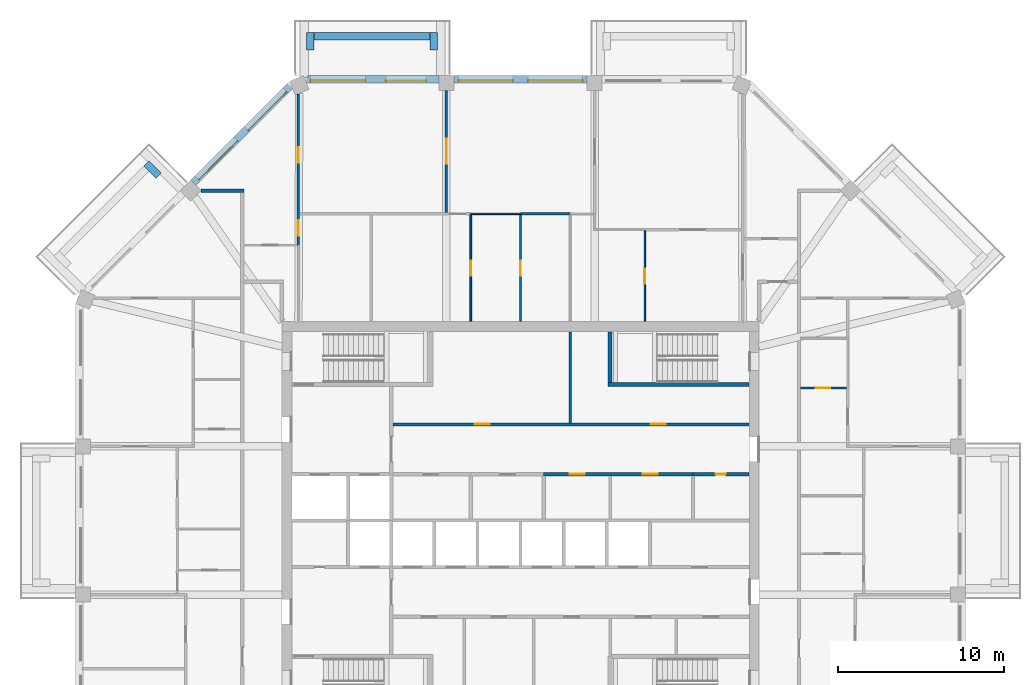
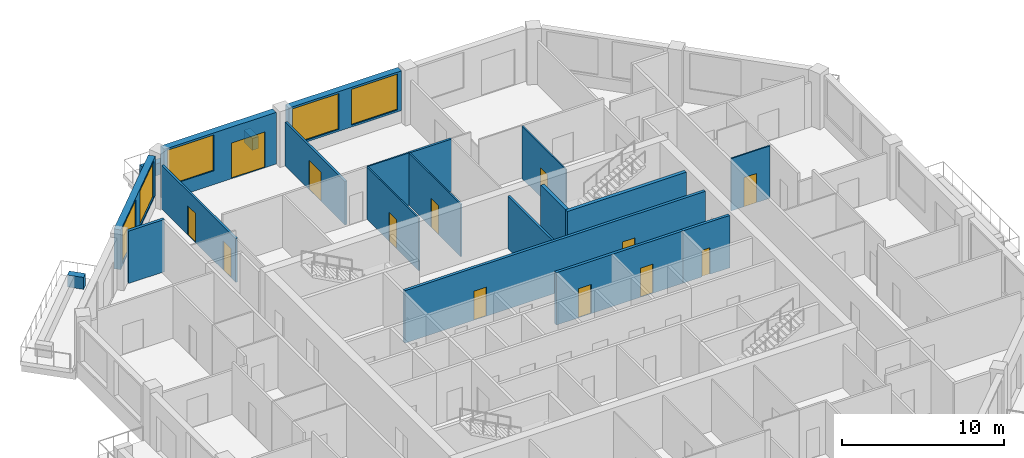
# One storey, part 8 of 12: 22 walls, 13 doors, 5 windows, 18 openings.
"""IFC4 building model written with IfcOpenShell, lengths in metres."""

from ifc_helpers import new_model, si_unit, direction, frame, frame_2d, origin, place, context, subcontext, project, spatial, rectangle, extrude, material, layer, layer_set, type_object, element, fill, save


model = new_model("IFC4")

# Units and contexts
model_context = context("Model", 3, precision=1e-05, world=origin(), true_north=direction((0.0, 1.0)))
body_context = subcontext(model_context, "Body", "Model", "MODEL_VIEW")
ifc_project = project(units=[si_unit("LENGTHUNIT", "METRE"), si_unit("AREAUNIT", "SQUARE_METRE"), si_unit("VOLUMEUNIT", "CUBIC_METRE"), si_unit("PLANEANGLEUNIT", "RADIAN"), si_unit("MASSUNIT", "GRAM", prefix="KILO")], contexts=[model_context])

# Site, building, storey
site_placement = place(None, origin())
site = spatial("IfcSite", under=ifc_project, at=site_placement, CompositionType="ELEMENT")
building_placement = place(site_placement, origin())
building = spatial("IfcBuilding", under=site, at=building_placement, Name="Msitu Wima Residences", CompositionType="ELEMENT")
storey_placement = place(building_placement, frame((0.0, 0.0, 218.10009765625)))
storey = spatial("IfcBuildingStorey", under=building, at=storey_placement, Name="L50", CompositionType="ELEMENT", Elevation=218.10009765625)

# Walls
ifc_material_1 = material(Name="Facing brick")
ifc_layer_1 = layer(ifc_material_1, 0.06494140625, Name="Facing brick")
ifc_material_2 = material(Name="Concrete C40/50", Category="concrete")
ifc_layer_2 = layer(ifc_material_2, 0.156005859375, Name="Concrete C40/50")
ifc_material_3 = material(Name="Waterproofing membrane")
ifc_layer_3 = layer(ifc_material_3, 0.00390625, Name="Waterproofing membrane")
ifc_material_4 = material(Name="Planting soil and planting")
ifc_layer_4 = layer(ifc_material_4, 0.22509765625, Name="Planting soil and planting")
ifc_layer_set_1 = layer_set([ifc_layer_1, ifc_layer_2, ifc_layer_3, ifc_layer_4], Name="Concrete C40/50")
wall_type_1 = type_object("IfcWallType", Name="Balcony planter PLANTER PL450", PredefinedType="USERDEFINED", material=ifc_layer_set_1)
wall_1_placement = place(storey_placement, frame((-5.468505859375, 29.22509765625, 0.0), z_axis=(0.0, 0.0, 1.0), x_axis=(-1.0, 0.0, 0.0)))
element("IfcWall", 1, at=wall_1_placement, inside=storey, type_object=wall_type_1, Name="Balcony planter N2 L50", ObjectType="PLANTER", PredefinedType="USERDEFINED", context=body_context, shape_type="SweptSolid", body=[
    extrude(rectangle(XDim=6.9873046875, YDim=0.449951171875, at=frame_2d((3.49365234375, 0.0))), origin(), (0.0, 0.0, 1.0), 0.89990234375),
])
for number, where, z_axis, x_axis, name in (
    (2, (-5.24365234375, 28.39990234375, 0.0), (0.0, 0.0, 1.0), (0.0, 1.0, 0.0), "Balcony planter N2 L50"),
    (3, (-12.680908203125, 28.39990234375, 0.0), (0.0, 0.0, 1.0), (0.0, 1.0, 0.0), "Balcony planter N2 L50"),
    (4, (-21.829833984375, 20.804443359375, 0.0), (0.0, 0.0, 1.0), (-0.707106781187, 0.707106781187, 0.0), "Balcony planter NW1 L50"),
):
    element("IfcWall", number, at=place(storey_placement, frame(where, z_axis=z_axis, x_axis=x_axis)), inside=storey, type_object=wall_type_1, Name=name, ObjectType="PLANTER", PredefinedType="USERDEFINED", context=body_context, shape_type="SweptSolid", body=[
        extrude(rectangle(XDim=1.050048828125, YDim=0.449951171875, at=frame_2d((0.52490234375, 0.0))), origin(), (0.0, 0.0, 1.0), 0.89990234375),
    ])

# Wall, openings, windows
ifc_material_5 = material(Name="Brick (red buff mix)", Category="masonry")
ifc_layer_5 = layer(ifc_material_5, 0.449951171875)
ifc_layer_set_2 = layer_set([ifc_layer_5], Name="Brick (red buff mix)")
wall_type_2 = type_object("IfcWallType", Name="Brick infill wall BW450", PredefinedType="SOLIDWALL", material=ifc_layer_set_2)
wall_2_placement = place(storey_placement, frame((4.0185546875, 26.625, 0.89990234375), z_axis=(0.0, 0.0, 1.0), x_axis=(-1.0, 0.0, 0.0)))
wall_2 = element("IfcWall", 5, at=wall_2_placement, inside=storey, type_object=wall_type_2, Name="Brick infill wall L50 N1", PredefinedType="SOLIDWALL", context=body_context, shape_type="SweptSolid", body=[
    extrude(rectangle(XDim=8.037109375, YDim=0.449951171875, at=frame_2d((4.0185546875, 0.0))), origin(), (0.0, 0.0, 1.0), 3.0),
])
opening_1_placement = place(wall_2_placement, frame((0.2685546875, 0.0, 0.14990234375)))
opening_1 = element("IfcOpeningElement", 6, at=opening_1_placement, cuts=wall_2, Name="Opening W50-51.007", PredefinedType="OPENING", context=body_context, shape_type="SweptSolid", body=[
    extrude(rectangle(XDim=3.300048828125, YDim=2.699951171875, at=frame_2d((1.64990234375, 1.35009765625))), frame((0.0, 0.23486328125, 0.0), z_axis=(0.0, -1.0, 0.0), x_axis=(1.0, 0.0, 0.0)), (0.0, 0.0, 1.0), 0.469970703125),
])
opening_2_placement = place(wall_2_placement, frame((4.46875, 0.0, 0.14990234375)))
opening_2 = element("IfcOpeningElement", 7, at=opening_2_placement, cuts=wall_2, Name="Opening W50-51.008", PredefinedType="OPENING", context=body_context, shape_type="SweptSolid", body=[
    extrude(rectangle(XDim=3.300048828125, YDim=2.699951171875, at=frame_2d((1.64990234375, 1.35009765625))), frame((0.0, 0.23486328125, 0.0), z_axis=(0.0, -1.0, 0.0), x_axis=(1.0, 0.0, 0.0)), (0.0, 0.0, 1.0), 0.469970703125),
])
ifc_material_6 = material(Name="Anodised aluminium, bronze finish, clear low-emissivity double glazing", Category="aluminium")
window_type = type_object("IfcWindowType", Name="Window W3300x2700", PartitioningType="DOUBLE_PANEL_VERTICAL", PredefinedType="WINDOW", material=ifc_material_6)
window_1_placement = place(opening_1_placement, origin())
window_1 = element("IfcWindow", 8, at=window_1_placement, inside=storey, type_object=window_type, Name="Window L50 N1.1", OverallHeight=2.699951171875, OverallWidth=3.300048828125, PartitioningType="SINGLE_PANEL", PredefinedType="WINDOW", context=body_context, shape_type="SweptSolid", body=[
    extrude(rectangle(XDim=3.300048828125, YDim=2.699951171875, at=frame_2d((1.64990234375, 1.35009765625))), frame((0.0, 0.135009765625, 0.0), z_axis=(0.0, -1.0, 0.0), x_axis=(1.0, 0.0, 0.0)), (0.0, 0.0, 1.0), 0.06005859375),
])
fill(opening_1, window_1)
window_2_placement = place(opening_2_placement, origin())
window_2 = element("IfcWindow", 9, at=window_2_placement, inside=storey, type_object=window_type, Name="Window L50 N1.2", OverallHeight=2.699951171875, OverallWidth=3.300048828125, PartitioningType="SINGLE_PANEL", PredefinedType="WINDOW", context=body_context, shape_type="SweptSolid", body=[
    extrude(rectangle(XDim=3.300048828125, YDim=2.699951171875, at=frame_2d((1.64990234375, 1.35009765625))), frame((0.0, 0.135009765625, 0.0), z_axis=(0.0, -1.0, 0.0), x_axis=(1.0, 0.0, 0.0)), (0.0, 0.0, 1.0), 0.06005859375),
])
fill(opening_2, window_2)

# Wall, openings, door, window
wall_3_placement = place(storey_placement, frame((-4.918701171875, 26.625, 0.0), z_axis=(0.0, 0.0, 1.0), x_axis=(-1.0, 0.0, 0.0)))
wall_3 = element("IfcWall", 10, at=wall_3_placement, inside=storey, type_object=wall_type_2, Name="Brick infill wall L50 N2", PredefinedType="SOLIDWALL", context=body_context, shape_type="SweptSolid", body=[
    extrude(rectangle(XDim=8.0, YDim=0.449951171875, at=frame_2d((4.0, 0.0))), origin(), (0.0, 0.0, 1.0), 3.89990234375),
])
opening_3_placement = place(wall_3_placement, frame((0.800048828125, 0.0, 0.0)))
opening_3 = element("IfcOpeningElement", 11, at=opening_3_placement, cuts=wall_3, Name="Opening D50-51.003", PredefinedType="OPENING", context=body_context, shape_type="SweptSolid", body=[
    extrude(rectangle(XDim=2.39990234375, YDim=2.699951171875, at=frame_2d((1.199951171875, 1.35009765625))), frame((0.0, 0.23486328125, 0.0), z_axis=(0.0, -1.0, 0.0), x_axis=(1.0, 0.0, 0.0)), (0.0, 0.0, 1.0), 0.469970703125),
])
opening_4_placement = place(wall_3_placement, frame((4.4501953125, 0.0, 1.050048828125)))
opening_4 = element("IfcOpeningElement", 12, at=opening_4_placement, cuts=wall_3, Name="Opening W50-51.009", PredefinedType="OPENING", context=body_context, shape_type="SweptSolid", body=[
    extrude(rectangle(XDim=3.300048828125, YDim=2.699951171875, at=frame_2d((1.64990234375, 1.35009765625))), frame((0.0, 0.23486328125, 0.0), z_axis=(0.0, -1.0, 0.0), x_axis=(1.0, 0.0, 0.0)), (0.0, 0.0, 1.0), 0.469970703125),
])
door_type_1 = type_object("IfcDoorType", Name="Balcony door D2400x2700", OperationType="SLIDING_TO_LEFT", PredefinedType="DOOR", material=ifc_material_6)
door_1_placement = place(opening_3_placement, origin())
door_1 = element("IfcDoor", 13, at=door_1_placement, inside=storey, type_object=door_type_1, Name="Balcony door L50 N2", OperationType="SINGLE_SWING_LEFT", OverallHeight=2.699951171875, OverallWidth=2.39990234375, PredefinedType="DOOR", context=body_context, shape_type="SweptSolid", body=[
    extrude(rectangle(XDim=2.39990234375, YDim=2.699951171875, at=frame_2d((1.199951171875, 1.35009765625))), frame((0.0, 0.1298828125, 0.0), z_axis=(0.0, -1.0, 0.0), x_axis=(1.0, 0.0, 0.0)), (0.0, 0.0, 1.0), 0.050048828125),
])
fill(opening_3, door_1)
window_3_placement = place(opening_4_placement, origin())
window_3 = element("IfcWindow", 14, at=window_3_placement, inside=storey, type_object=window_type, Name="Window L50 N2.2", OverallHeight=2.699951171875, OverallWidth=3.300048828125, PartitioningType="SINGLE_PANEL", PredefinedType="WINDOW", context=body_context, shape_type="SweptSolid", body=[
    extrude(rectangle(XDim=3.300048828125, YDim=2.699951171875, at=frame_2d((1.64990234375, 1.35009765625))), frame((0.0, 0.135009765625, 0.0), z_axis=(0.0, -1.0, 0.0), x_axis=(1.0, 0.0, 0.0)), (0.0, 0.0, 1.0), 0.06005859375),
])
fill(opening_4, window_3)

# Wall, openings, windows
wall_4_placement = place(storey_placement, frame((-13.909423828125, 26.214599609375, 0.89990234375), z_axis=(0.0, 0.0, 1.0), x_axis=(-0.707106781187, -0.707106781187, 0.0)))
wall_4 = element("IfcWall", 15, at=wall_4_placement, inside=storey, type_object=wall_type_2, Name="Brick infill wall L50 NW0", PredefinedType="SOLIDWALL", context=body_context, shape_type="SweptSolid", body=[
    extrude(rectangle(XDim=8.251220703125, YDim=0.449951171875, at=frame_2d((4.12548828125, 0.0))), origin(), (0.0, 0.0, 1.0), 3.0),
])
opening_5_placement = place(wall_4_placement, frame((0.37548828125, 0.0, 0.14990234375)))
opening_5 = element("IfcOpeningElement", 16, at=opening_5_placement, cuts=wall_4, Name="Opening W50-51.013", PredefinedType="OPENING", context=body_context, shape_type="SweptSolid", body=[
    extrude(rectangle(XDim=3.300048828125, YDim=2.699951171875, at=frame_2d((1.64990234375, 1.35009765625))), frame((0.0, 0.23486328125, 0.0), z_axis=(0.0, -1.0, 0.0), x_axis=(1.0, 0.0, 0.0)), (0.0, 0.0, 1.0), 0.469970703125),
])
opening_6_placement = place(wall_4_placement, frame((4.57568359375, 0.0, 0.14990234375)))
opening_6 = element("IfcOpeningElement", 17, at=opening_6_placement, cuts=wall_4, Name="Opening W50-51.014", PredefinedType="OPENING", context=body_context, shape_type="SweptSolid", body=[
    extrude(rectangle(XDim=3.300048828125, YDim=2.699951171875, at=frame_2d((1.64990234375, 1.35009765625))), frame((0.0, 0.23486328125, 0.0), z_axis=(0.0, -1.0, 0.0), x_axis=(1.0, 0.0, 0.0)), (0.0, 0.0, 1.0), 0.469970703125),
])
window_4_placement = place(opening_5_placement, origin())
window_4 = element("IfcWindow", 18, at=window_4_placement, inside=storey, type_object=window_type, Name="Window L50 NW0.1", OverallHeight=2.699951171875, OverallWidth=3.300048828125, PartitioningType="SINGLE_PANEL", PredefinedType="WINDOW", context=body_context, shape_type="SweptSolid", body=[
    extrude(rectangle(XDim=3.300048828125, YDim=2.699951171875, at=frame_2d((1.64990234375, 1.35009765625))), frame((0.0, 0.135009765625, 0.0), z_axis=(0.0, -1.0, 0.0), x_axis=(1.0, 0.0, 0.0)), (0.0, 0.0, 1.0), 0.06005859375),
])
fill(opening_5, window_4)
window_5_placement = place(opening_6_placement, origin())
window_5 = element("IfcWindow", 19, at=window_5_placement, inside=storey, type_object=window_type, Name="Window L50 NW0.2", OverallHeight=2.699951171875, OverallWidth=3.300048828125, PartitioningType="SINGLE_PANEL", PredefinedType="WINDOW", context=body_context, shape_type="SweptSolid", body=[
    extrude(rectangle(XDim=3.300048828125, YDim=2.699951171875, at=frame_2d((1.64990234375, 1.35009765625))), frame((0.0, 0.135009765625, 0.0), z_axis=(0.0, -1.0, 0.0), x_axis=(1.0, 0.0, 0.0)), (0.0, 0.0, 1.0), 0.06005859375),
])
fill(opening_6, window_5)

# Wall, openings, doors
ifc_material_7 = material(Name="Plaster")
ifc_layer_6 = layer(ifc_material_7, 0.011962890625, Name="Plaster")
ifc_material_8 = material(Name="Concrete blockwork", Category="masonry")
ifc_layer_7 = layer(ifc_material_8, 0.176025390625, Name="Concrete blockwork")
ifc_layer_8 = layer(ifc_material_7, 0.011962890625, Name="Plaster")
ifc_layer_set_3 = layer_set([ifc_layer_6, ifc_layer_7, ifc_layer_8], Name="Concrete blockwork")
wall_type_3 = type_object("IfcWallType", Name="Corridor wall FW200", PredefinedType="PARTITIONING", material=ifc_layer_set_3)
wall_5_placement = place(storey_placement, frame((-7.699951171875, 5.800048828125, 0.0), z_axis=(0.0, 0.0, 1.0), x_axis=(1.0, 0.0, 0.0)))
wall_5 = element("IfcWall", 20, at=wall_5_placement, inside=storey, type_object=wall_type_3, Name="Corridor wall", PredefinedType="PARTITIONING", context=body_context, shape_type="SweptSolid", body=[
    extrude(rectangle(XDim=21.469970703125, YDim=0.199951171875, at=frame_2d((10.73486328125, 0.0))), origin(), (0.0, 0.0, 1.0), 3.949951171875),
])
opening_7_placement = place(wall_5_placement, frame((4.949951171875, 0.0, 0.0)))
opening_7 = element("IfcOpeningElement", 21, at=opening_7_placement, cuts=wall_5, Name="Opening D50-51.065", PredefinedType="OPENING", context=body_context, shape_type="SweptSolid", body=[
    extrude(rectangle(XDim=0.89990234375, YDim=2.199951171875, at=frame_2d((0.449951171875, 1.10009765625))), frame((0.0, 0.10986328125, 0.0), z_axis=(0.0, -1.0, 0.0), x_axis=(1.0, 0.0, 0.0)), (0.0, 0.0, 1.0), 0.219970703125),
])
opening_8_placement = place(wall_5_placement, frame((15.550048828125, 0.0, 0.0)))
opening_8 = element("IfcOpeningElement", 22, at=opening_8_placement, cuts=wall_5, Name="Opening D50-51.066", PredefinedType="OPENING", context=body_context, shape_type="SweptSolid", body=[
    extrude(rectangle(XDim=0.89990234375, YDim=2.199951171875, at=frame_2d((0.449951171875, 1.10009765625))), frame((0.0, 0.10986328125, 0.0), z_axis=(0.0, -1.0, 0.0), x_axis=(1.0, 0.0, 0.0)), (0.0, 0.0, 1.0), 0.219970703125),
])
ifc_material_9 = material(Name="Timber flush door", Category="wood")
door_type_2 = type_object("IfcDoorType", Name="Service door D05 900x2200", OperationType="SINGLE_SWING_LEFT", PredefinedType="DOOR", material=ifc_material_9)
door_2_placement = place(opening_7_placement, origin())
door_2 = element("IfcDoor", 23, at=door_2_placement, inside=storey, type_object=door_type_2, Name="Service door", OperationType="SINGLE_SWING_LEFT", OverallHeight=2.199951171875, OverallWidth=0.89990234375, PredefinedType="DOOR", context=body_context, shape_type="SweptSolid", body=[
    extrude(rectangle(XDim=0.89990234375, YDim=2.199951171875, at=frame_2d((0.449951171875, 1.10009765625))), frame((0.0, 0.02490234375, 0.0), z_axis=(0.0, -1.0, 0.0), x_axis=(1.0, 0.0, 0.0)), (0.0, 0.0, 1.0), 0.050048828125),
])
fill(opening_7, door_2)
door_3_placement = place(opening_8_placement, origin())
door_3 = element("IfcDoor", 24, at=door_3_placement, inside=storey, type_object=door_type_2, Name="Service door", OperationType="SINGLE_SWING_RIGHT", OverallHeight=2.199951171875, OverallWidth=0.89990234375, PredefinedType="DOOR", context=body_context, shape_type="SweptSolid", body=[
    extrude(rectangle(XDim=0.89990234375, YDim=2.199951171875, at=frame_2d((0.449951171875, 1.10009765625))), frame((0.0, 0.02490234375, 0.0), z_axis=(0.0, -1.0, 0.0), x_axis=(1.0, 0.0, 0.0)), (0.0, 0.0, 1.0), 0.050048828125),
])
fill(opening_8, door_3)

wall_6_placement = place(storey_placement, frame((1.3798828125, 2.800048828125, 0.0), z_axis=(0.0, 0.0, 1.0), x_axis=(1.0, 0.0, 0.0)))
wall_6 = element("IfcWall", 25, at=wall_6_placement, inside=storey, type_object=wall_type_3, Name="Corridor wall", PredefinedType="PARTITIONING", context=body_context, shape_type="SweptSolid", body=[
    extrude(rectangle(XDim=9.0400390625, YDim=0.199951171875, at=frame_2d((4.52001953125, 0.0))), origin(), (0.0, 0.0, 1.0), 3.949951171875),
])
opening_9_placement = place(wall_6_placement, frame((1.60009765625, 0.0, 0.0)))
opening_9 = element("IfcOpeningElement", 26, at=opening_9_placement, cuts=wall_6, Name="Opening D50-51.076", PredefinedType="OPENING", context=body_context, shape_type="SweptSolid", body=[
    extrude(rectangle(XDim=0.89990234375, YDim=2.199951171875, at=frame_2d((0.449951171875, 1.10009765625))), frame((0.0, 0.10986328125, 0.0), z_axis=(0.0, -1.0, 0.0), x_axis=(1.0, 0.0, 0.0)), (0.0, 0.0, 1.0), 0.219970703125),
])
opening_10_placement = place(wall_6_placement, frame((6.0, 0.0, 0.0)))
opening_10 = element("IfcOpeningElement", 27, at=opening_10_placement, cuts=wall_6, Name="Opening D50-51.077", PredefinedType="OPENING", context=body_context, shape_type="SweptSolid", body=[
    extrude(rectangle(XDim=0.89990234375, YDim=2.199951171875, at=frame_2d((0.449951171875, 1.10009765625))), frame((0.0, 0.10986328125, 0.0), z_axis=(0.0, -1.0, 0.0), x_axis=(1.0, 0.0, 0.0)), (0.0, 0.0, 1.0), 0.219970703125),
])
door_4_placement = place(opening_9_placement, origin())
door_4 = element("IfcDoor", 28, at=door_4_placement, inside=storey, type_object=door_type_2, Name="Service door", OperationType="SINGLE_SWING_LEFT", OverallHeight=2.199951171875, OverallWidth=0.89990234375, PredefinedType="DOOR", context=body_context, shape_type="SweptSolid", body=[
    extrude(rectangle(XDim=0.89990234375, YDim=2.199951171875, at=frame_2d((0.449951171875, 1.10009765625))), frame((0.0, 0.02490234375, 0.0), z_axis=(0.0, -1.0, 0.0), x_axis=(1.0, 0.0, 0.0)), (0.0, 0.0, 1.0), 0.050048828125),
])
fill(opening_9, door_4)
door_5_placement = place(opening_10_placement, origin())
door_5 = element("IfcDoor", 29, at=door_5_placement, inside=storey, type_object=door_type_2, Name="Service door", OperationType="SINGLE_SWING_RIGHT", OverallHeight=2.199951171875, OverallWidth=0.89990234375, PredefinedType="DOOR", context=body_context, shape_type="SweptSolid", body=[
    extrude(rectangle(XDim=0.89990234375, YDim=2.199951171875, at=frame_2d((0.449951171875, 1.10009765625))), frame((0.0, 0.02490234375, 0.0), z_axis=(0.0, -1.0, 0.0), x_axis=(1.0, 0.0, 0.0)), (0.0, 0.0, 1.0), 0.050048828125),
])
fill(opening_10, door_5)

ifc_layer_9 = layer(ifc_material_7, 0.011962890625, Name="Plaster")
ifc_layer_10 = layer(ifc_material_8, 0.1259765625, Name="Concrete blockwork")
ifc_layer_11 = layer(ifc_material_7, 0.011962890625, Name="Plaster")
ifc_layer_set_4 = layer_set([ifc_layer_9, ifc_layer_10, ifc_layer_11], Name="Concrete blockwork")
wall_type_4 = type_object("IfcWallType", Name="Partition PW150", PredefinedType="PARTITIONING", material=ifc_layer_set_4)
wall_7_placement = place(storey_placement, frame((-13.406005859375, 25.731201171875, 0.0), z_axis=(0.0, 0.0, 1.0), x_axis=(0.0, -1.0, 0.0)))
wall_7 = element("IfcWall", 30, at=wall_7_placement, inside=storey, type_object=wall_type_4, Name="Partition", PredefinedType="PARTITIONING", context=body_context, shape_type="SweptSolid", body=[
    extrude(rectangle(XDim=9.131103515625, YDim=0.14990234375, at=frame_2d((4.5654296875, 0.0))), origin(), (0.0, 0.0, 1.0), 3.2998046875),
])
opening_11_placement = place(wall_7_placement, frame((3.199951171875, 0.0, 0.0)))
opening_11 = element("IfcOpeningElement", 31, at=opening_11_placement, cuts=wall_7, Name="Opening D50-51.024", PredefinedType="OPENING", context=body_context, shape_type="SweptSolid", body=[
    extrude(rectangle(XDim=0.949951171875, YDim=2.199951171875, at=frame_2d((0.47509765625, 1.10009765625))), frame((0.0, 0.0849609375, 0.0), z_axis=(0.0, -1.0, 0.0), x_axis=(1.0, 0.0, 0.0)), (0.0, 0.0, 1.0), 0.169921875),
])
opening_12_placement = place(wall_7_placement, frame((7.60009765625, 0.0, 0.0)))
opening_12 = element("IfcOpeningElement", 32, at=opening_12_placement, cuts=wall_7, Name="Opening D50-51.025", PredefinedType="OPENING", context=body_context, shape_type="SweptSolid", body=[
    extrude(rectangle(XDim=0.949951171875, YDim=2.199951171875, at=frame_2d((0.47509765625, 1.10009765625))), frame((0.0, 0.0849609375, 0.0), z_axis=(0.0, -1.0, 0.0), x_axis=(1.0, 0.0, 0.0)), (0.0, 0.0, 1.0), 0.169921875),
])
door_type_3 = type_object("IfcDoorType", Name="Room door D12 950x2200", OperationType="SINGLE_SWING_LEFT", PredefinedType="DOOR", material=ifc_material_9)
door_6_placement = place(opening_11_placement, origin())
door_6 = element("IfcDoor", 33, at=door_6_placement, inside=storey, type_object=door_type_3, Name="Room door", OperationType="SINGLE_SWING_LEFT", OverallHeight=2.199951171875, OverallWidth=0.949951171875, PredefinedType="DOOR", context=body_context, shape_type="SweptSolid", body=[
    extrude(rectangle(XDim=0.949951171875, YDim=2.199951171875, at=frame_2d((0.47509765625, 1.10009765625))), frame((0.0, 0.02490234375, 0.0), z_axis=(0.0, -1.0, 0.0), x_axis=(1.0, 0.0, 0.0)), (0.0, 0.0, 1.0), 0.050048828125),
])
fill(opening_11, door_6)
door_7_placement = place(opening_12_placement, origin())
door_7 = element("IfcDoor", 34, at=door_7_placement, inside=storey, type_object=door_type_3, Name="Room door", OperationType="SINGLE_SWING_LEFT", OverallHeight=2.199951171875, OverallWidth=0.949951171875, PredefinedType="DOOR", context=body_context, shape_type="SweptSolid", body=[
    extrude(rectangle(XDim=0.949951171875, YDim=2.199951171875, at=frame_2d((0.47509765625, 1.10009765625))), frame((0.0, 0.02490234375, 0.0), z_axis=(0.0, -1.0, 0.0), x_axis=(1.0, 0.0, 0.0)), (0.0, 0.0, 1.0), 0.050048828125),
])
fill(opening_12, door_7)

# Wall, opening, door
wall_8_placement = place(storey_placement, frame((-4.46875, 18.574951171875, 0.0), z_axis=(0.0, 0.0, 1.0), x_axis=(0.0, 1.0, 0.0)))
wall_8 = element("IfcWall", 35, at=wall_8_placement, inside=storey, type_object=wall_type_4, Name="Partition", PredefinedType="PARTITIONING", context=body_context, shape_type="SweptSolid", body=[
    extrude(rectangle(XDim=7.375, YDim=0.14990234375, at=frame_2d((3.6875, 0.0))), origin(), (0.0, 0.0, 1.0), 3.2998046875),
])
opening_13_placement = place(wall_8_placement, frame((2.949951171875, 0.0, 0.0)))
opening_13 = element("IfcOpeningElement", 36, at=opening_13_placement, cuts=wall_8, Name="Opening D50-51.034", PredefinedType="OPENING", context=body_context, shape_type="SweptSolid", body=[
    extrude(rectangle(XDim=1.5, YDim=2.199951171875, at=frame_2d((0.75, 1.10009765625))), frame((0.0, 0.0849609375, 0.0), z_axis=(0.0, -1.0, 0.0), x_axis=(1.0, 0.0, 0.0)), (0.0, 0.0, 1.0), 0.169921875),
])
ifc_material_10 = material(Name="Timber double door", Category="wood")
door_type_4 = type_object("IfcDoorType", Name="Double door D04 1500x2200", OperationType="DOUBLE_DOOR_SINGLE_SWING", PredefinedType="DOOR", material=ifc_material_10)
door_8_placement = place(opening_13_placement, origin())
door_8 = element("IfcDoor", 37, at=door_8_placement, inside=storey, type_object=door_type_4, Name="Double door", OperationType="DOUBLE_DOOR_SINGLE_SWING", OverallHeight=2.199951171875, OverallWidth=1.5, PredefinedType="DOOR", context=body_context, shape_type="SweptSolid", body=[
    extrude(rectangle(XDim=1.5, YDim=2.199951171875, at=frame_2d((0.75, 1.10009765625))), frame((0.0, 0.02490234375, 0.0), z_axis=(0.0, -1.0, 0.0), x_axis=(1.0, 0.0, 0.0)), (0.0, 0.0, 1.0), 0.050048828125),
])
fill(opening_13, door_8)

# Walls
wall_9_placement = place(storey_placement, frame((0.0, 18.5, 0.0), z_axis=(0.0, 0.0, 1.0), x_axis=(1.0, 0.0, 0.0)))
element("IfcWall", 38, at=wall_9_placement, inside=storey, type_object=wall_type_4, Name="Partition", PredefinedType="PARTITIONING", context=body_context, shape_type="SweptSolid", body=[
    extrude(rectangle(XDim=3.0, YDim=0.14990234375, at=frame_2d((1.5, 0.0))), origin(), (0.0, 0.0, 1.0), 3.949951171875),
])
wall_10_placement = place(storey_placement, frame((3.0, 5.89990234375, 0.0), z_axis=(0.0, 0.0, 1.0), x_axis=(0.0, 1.0, 0.0)))
element("IfcWall", 39, at=wall_10_placement, inside=storey, type_object=wall_type_4, Name="Partition", PredefinedType="PARTITIONING", context=body_context, shape_type="SweptSolid", body=[
    extrude(rectangle(XDim=5.47021484375, YDim=0.14990234375, at=frame_2d((2.735107421875, 0.0))), origin(), (0.0, 0.0, 1.0), 3.949951171875),
])
ifc_layer_12 = layer(ifc_material_7, 0.011962890625, Name="Plaster")
ifc_material_11 = material(Name="Dense concrete blockwork", Category="masonry")
ifc_layer_13 = layer(ifc_material_11, 0.176025390625, Name="Dense concrete blockwork")
ifc_layer_14 = layer(ifc_material_7, 0.011962890625, Name="Plaster")
ifc_layer_set_5 = layer_set([ifc_layer_12, ifc_layer_13, ifc_layer_14], Name="Dense concrete blockwork")
wall_type_5 = type_object("IfcWallType", Name="Party wall PW200", PredefinedType="PARTITIONING", material=ifc_layer_set_5)
wall_11_placement = place(storey_placement, frame((-19.2666015625, 19.90283203125, 0.0), z_axis=(0.0, 0.0, 1.0), x_axis=(1.0, 0.0, 0.0)))
element("IfcWall", 40, at=wall_11_placement, inside=storey, type_object=wall_type_5, Name="Party wall", PredefinedType="PARTITIONING", context=body_context, shape_type="SweptSolid", body=[
    extrude(rectangle(XDim=2.566650390625, YDim=0.199951171875, at=frame_2d((1.283203125, 0.0))), origin(), (0.0, 0.0, 1.0), 3.949951171875),
])

# Wall, opening, door
ifc_layer_15 = layer(ifc_material_7, 0.011962890625, Name="Plaster")
ifc_material_12 = material(Name="Reinforced concrete blockwork", Category="masonry")
ifc_layer_16 = layer(ifc_material_12, 0.176025390625, Name="Reinforced concrete blockwork")
ifc_layer_17 = layer(ifc_material_7, 0.011962890625, Name="Plaster")
ifc_layer_set_6 = layer_set([ifc_layer_15, ifc_layer_16, ifc_layer_17], Name="Reinforced concrete blockwork")
wall_type_6 = type_object("IfcWallType", Name="Plant and riser wall PL200", PredefinedType="PARTITIONING", material=ifc_layer_set_6)
wall_12_placement = place(storey_placement, frame((10.419921875, 2.800048828125, 0.0), z_axis=(0.0, 0.0, 1.0), x_axis=(1.0, 0.0, 0.0)))
wall_12 = element("IfcWall", 41, at=wall_12_placement, inside=storey, type_object=wall_type_6, Name="Plant and riser wall", PredefinedType="PARTITIONING", context=body_context, shape_type="SweptSolid", body=[
    extrude(rectangle(XDim=3.35009765625, YDim=0.199951171875, at=frame_2d((1.675048828125, 0.0))), origin(), (0.0, 0.0, 1.0), 3.949951171875),
])
opening_14_placement = place(wall_12_placement, frame((1.35009765625, 0.0, 0.0)))
opening_14 = element("IfcOpeningElement", 42, at=opening_14_placement, cuts=wall_12, Name="Opening D50-51.078", PredefinedType="OPENING", context=body_context, shape_type="SweptSolid", body=[
    extrude(rectangle(XDim=0.60009765625, YDim=2.0, at=frame_2d((0.300048828125, 1.0))), frame((0.0, 0.10986328125, 0.0), z_axis=(0.0, -1.0, 0.0), x_axis=(1.0, 0.0, 0.0)), (0.0, 0.0, 1.0), 0.219970703125),
])
ifc_material_13 = material(Name="Steel access door, fire resisting", Category="steel")
door_type_5 = type_object("IfcDoorType", Name="Riser access door D08 600x2000", OperationType="SINGLE_SWING_LEFT", PredefinedType="DOOR", material=ifc_material_13)
door_9_placement = place(opening_14_placement, origin())
door_9 = element("IfcDoor", 43, at=door_9_placement, inside=storey, type_object=door_type_5, Name="Riser access door", OperationType="SINGLE_SWING_RIGHT", OverallHeight=2.0, OverallWidth=0.60009765625, PredefinedType="DOOR", context=body_context, shape_type="SweptSolid", body=[
    extrude(rectangle(XDim=0.60009765625, YDim=2.0, at=frame_2d((0.300048828125, 1.0))), frame((0.0, 0.02490234375, 0.0), z_axis=(0.0, -1.0, 0.0), x_axis=(1.0, 0.0, 0.0)), (0.0, 0.0, 1.0), 0.050048828125),
])
fill(opening_14, door_9)

# Walls
ifc_material_14 = material(Name="Concrete C50/60", Category="concrete")
ifc_layer_18 = layer(ifc_material_14, 0.25)
ifc_layer_set_7 = layer_set([ifc_layer_18], Name="Concrete C50/60")
wall_type_7 = type_object("IfcWallType", Name="Stair enclosure wall SW250", PredefinedType="SHEAR", material=ifc_layer_set_7)
wall_13_placement = place(storey_placement, frame((5.39990234375, 8.324951171875, 0.0), z_axis=(0.0, 0.0, 1.0), x_axis=(0.0, 1.0, 0.0)))
element("IfcWall", 44, at=wall_13_placement, inside=storey, type_object=wall_type_7, Name="Stair enclosure wall", PredefinedType="SHEAR", context=body_context, shape_type="SweptSolid", body=[
    extrude(rectangle(XDim=3.045166015625, YDim=0.25, at=frame_2d((1.5224609375, 0.0))), origin(), (0.0, 0.0, 1.0), 3.949951171875),
])
wall_14_placement = place(storey_placement, frame((5.27490234375, 8.199951171875, 0.0), z_axis=(0.0, 0.0, 1.0), x_axis=(1.0, 0.0, 0.0)))
element("IfcWall", 45, at=wall_14_placement, inside=storey, type_object=wall_type_7, Name="Stair enclosure wall", PredefinedType="SHEAR", context=body_context, shape_type="SweptSolid", body=[
    extrude(rectangle(XDim=8.4951171875, YDim=0.25, at=frame_2d((4.24755859375, 0.0))), origin(), (0.0, 0.0, 1.0), 3.949951171875),
])
ifc_material_15 = material(Name="Ceramic tiles")
ifc_layer_19 = layer(ifc_material_15, 0.008056640625, Name="Ceramic tiles")
ifc_material_16 = material(Name="Moisture-resistant board")
ifc_layer_20 = layer(ifc_material_16, 0.012451171875, Name="Moisture-resistant board")
ifc_material_17 = material(Name="Light-gauge stud framing with mineral wool")
ifc_layer_21 = layer(ifc_material_17, 0.06689453125, Name="Light-gauge stud framing with mineral wool")
ifc_layer_22 = layer(ifc_material_16, 0.012451171875, Name="Moisture-resistant board")
ifc_layer_set_8 = layer_set([ifc_layer_19, ifc_layer_20, ifc_layer_21, ifc_layer_22], Name="Light-gauge stud framing with mineral wool")
wall_type_8 = type_object("IfcWallType", Name="Wet wall PW100", PredefinedType="PARTITIONING", material=ifc_layer_set_8)
wall_15_placement = place(storey_placement, frame((-3.0, 18.5, 0.0), z_axis=(0.0, 0.0, 1.0), x_axis=(1.0, 0.0, 0.0)))
element("IfcWall", 46, at=wall_15_placement, inside=storey, type_object=wall_type_8, Name="Wet wall", PredefinedType="PARTITIONING", context=body_context, shape_type="SweptSolid", body=[
    extrude(rectangle(XDim=3.0, YDim=0.10009765625, at=frame_2d((1.5, 0.0))), origin(), (0.0, 0.0, 1.0), 3.949951171875),
])

# Wall, opening, door
wall_16_placement = place(storey_placement, frame((-3.0, 12.030029296875, 0.0), z_axis=(0.0, 0.0, 1.0), x_axis=(0.0, 1.0, 0.0)))
wall_16 = element("IfcWall", 47, at=wall_16_placement, inside=storey, type_object=wall_type_8, Name="Wet wall", PredefinedType="PARTITIONING", context=body_context, shape_type="SweptSolid", body=[
    extrude(rectangle(XDim=6.419921875, YDim=0.10009765625, at=frame_2d((3.2099609375, 0.0))), origin(), (0.0, 0.0, 1.0), 3.949951171875),
])
opening_15_placement = place(wall_16_placement, frame((2.75, 0.0, 0.0)))
opening_15 = element("IfcOpeningElement", 48, at=opening_15_placement, cuts=wall_16, Name="Opening D50-51.032", PredefinedType="OPENING", context=body_context, shape_type="SweptSolid", body=[
    extrude(rectangle(XDim=0.89990234375, YDim=2.199951171875, at=frame_2d((0.449951171875, 1.10009765625))), frame((0.0, 0.06005859375, 0.0), z_axis=(0.0, -1.0, 0.0), x_axis=(1.0, 0.0, 0.0)), (0.0, 0.0, 1.0), 0.1201171875),
])
door_10_placement = place(opening_15_placement, origin())
door_10 = element("IfcDoor", 49, at=door_10_placement, inside=storey, type_object=door_type_2, Name="Service door", OperationType="SINGLE_SWING_RIGHT", OverallHeight=2.199951171875, OverallWidth=0.89990234375, PredefinedType="DOOR", context=body_context, shape_type="SweptSolid", body=[
    extrude(rectangle(XDim=0.89990234375, YDim=2.199951171875, at=frame_2d((0.449951171875, 1.10009765625))), frame((0.0, 0.02490234375, 0.0), z_axis=(0.0, -1.0, 0.0), x_axis=(1.0, 0.0, 0.0)), (0.0, 0.0, 1.0), 0.050048828125),
])
fill(opening_15, door_10)

wall_17_placement = place(storey_placement, frame((0.0, 12.030029296875, 0.0), z_axis=(0.0, 0.0, 1.0), x_axis=(0.0, 1.0, 0.0)))
wall_17 = element("IfcWall", 50, at=wall_17_placement, inside=storey, type_object=wall_type_8, Name="Wet wall", PredefinedType="PARTITIONING", context=body_context, shape_type="SweptSolid", body=[
    extrude(rectangle(XDim=6.39501953125, YDim=0.10009765625, at=frame_2d((3.197509765625, 0.0))), origin(), (0.0, 0.0, 1.0), 3.949951171875),
])
opening_16_placement = place(wall_17_placement, frame((2.75, 0.0, 0.0)))
opening_16 = element("IfcOpeningElement", 51, at=opening_16_placement, cuts=wall_17, Name="Opening D50-51.033", PredefinedType="OPENING", context=body_context, shape_type="SweptSolid", body=[
    extrude(rectangle(XDim=0.89990234375, YDim=2.199951171875, at=frame_2d((0.449951171875, 1.10009765625))), frame((0.0, 0.06005859375, 0.0), z_axis=(0.0, -1.0, 0.0), x_axis=(1.0, 0.0, 0.0)), (0.0, 0.0, 1.0), 0.1201171875),
])
door_11_placement = place(opening_16_placement, origin())
door_11 = element("IfcDoor", 52, at=door_11_placement, inside=storey, type_object=door_type_2, Name="Service door", OperationType="SINGLE_SWING_LEFT", OverallHeight=2.199951171875, OverallWidth=0.89990234375, PredefinedType="DOOR", context=body_context, shape_type="SweptSolid", body=[
    extrude(rectangle(XDim=0.89990234375, YDim=2.199951171875, at=frame_2d((0.449951171875, 1.10009765625))), frame((0.0, 0.02490234375, 0.0), z_axis=(0.0, -1.0, 0.0), x_axis=(1.0, 0.0, 0.0)), (0.0, 0.0, 1.0), 0.050048828125),
])
fill(opening_16, door_11)

wall_18_placement = place(storey_placement, frame((7.5, 12.030029296875, 0.0), z_axis=(0.0, 0.0, 1.0), x_axis=(0.0, 1.0, 0.0)))
wall_18 = element("IfcWall", 53, at=wall_18_placement, inside=storey, type_object=wall_type_8, Name="Wet wall", PredefinedType="PARTITIONING", context=body_context, shape_type="SweptSolid", body=[
    extrude(rectangle(XDim=5.445068359375, YDim=0.10009765625, at=frame_2d((2.72265625, 0.0))), origin(), (0.0, 0.0, 1.0), 3.949951171875),
])
opening_17_placement = place(wall_18_placement, frame((2.25, 0.0, 0.0)))
opening_17 = element("IfcOpeningElement", 54, at=opening_17_placement, cuts=wall_18, Name="Opening D50-51.029", PredefinedType="OPENING", context=body_context, shape_type="SweptSolid", body=[
    extrude(rectangle(XDim=0.89990234375, YDim=2.199951171875, at=frame_2d((0.449951171875, 1.10009765625))), frame((0.0, 0.06005859375, 0.0), z_axis=(0.0, -1.0, 0.0), x_axis=(1.0, 0.0, 0.0)), (0.0, 0.0, 1.0), 0.1201171875),
])
ifc_material_18 = material(Name="Timber flush door, moisture resistant", Category="wood")
door_type_6 = type_object("IfcDoorType", Name="Bathroom door D03 900x2200", OperationType="SINGLE_SWING_LEFT", PredefinedType="DOOR", material=ifc_material_18)
door_12_placement = place(opening_17_placement, origin())
door_12 = element("IfcDoor", 55, at=door_12_placement, inside=storey, type_object=door_type_6, Name="Bathroom door", OperationType="SINGLE_SWING_LEFT", OverallHeight=2.199951171875, OverallWidth=0.89990234375, PredefinedType="DOOR", context=body_context, shape_type="SweptSolid", body=[
    extrude(rectangle(XDim=0.89990234375, YDim=2.199951171875, at=frame_2d((0.449951171875, 1.10009765625))), frame((0.0, 0.02490234375, 0.0), z_axis=(0.0, -1.0, 0.0), x_axis=(1.0, 0.0, 0.0)), (0.0, 0.0, 1.0), 0.050048828125),
])
fill(opening_17, door_12)

wall_19_placement = place(storey_placement, frame((16.89990234375, 8.0, 0.0), z_axis=(0.0, 0.0, 1.0), x_axis=(1.0, 0.0, 0.0)))
wall_19 = element("IfcWall", 56, at=wall_19_placement, inside=storey, type_object=wall_type_8, Name="Wet wall", PredefinedType="PARTITIONING", context=body_context, shape_type="SweptSolid", body=[
    extrude(rectangle(XDim=2.775146484375, YDim=0.10009765625, at=frame_2d((1.3876953125, 0.0))), origin(), (0.0, 0.0, 1.0), 3.949951171875),
])
opening_18_placement = place(wall_19_placement, frame((0.89990234375, 0.0, 0.0)))
opening_18 = element("IfcOpeningElement", 57, at=opening_18_placement, cuts=wall_19, Name="Opening D50-51.021", PredefinedType="OPENING", context=body_context, shape_type="SweptSolid", body=[
    extrude(rectangle(XDim=0.89990234375, YDim=2.199951171875, at=frame_2d((0.449951171875, 1.10009765625))), frame((0.0, 0.06005859375, 0.0), z_axis=(0.0, -1.0, 0.0), x_axis=(1.0, 0.0, 0.0)), (0.0, 0.0, 1.0), 0.1201171875),
])
door_13_placement = place(opening_18_placement, origin())
door_13 = element("IfcDoor", 58, at=door_13_placement, inside=storey, type_object=door_type_2, Name="Service door", OperationType="SINGLE_SWING_RIGHT", OverallHeight=2.199951171875, OverallWidth=0.89990234375, PredefinedType="DOOR", context=body_context, shape_type="SweptSolid", body=[
    extrude(rectangle(XDim=0.89990234375, YDim=2.199951171875, at=frame_2d((0.449951171875, 1.10009765625))), frame((0.0, 0.02490234375, 0.0), z_axis=(0.0, -1.0, 0.0), x_axis=(1.0, 0.0, 0.0)), (0.0, 0.0, 1.0), 0.050048828125),
])
fill(opening_18, door_13)

save(model, "model.ifc")
